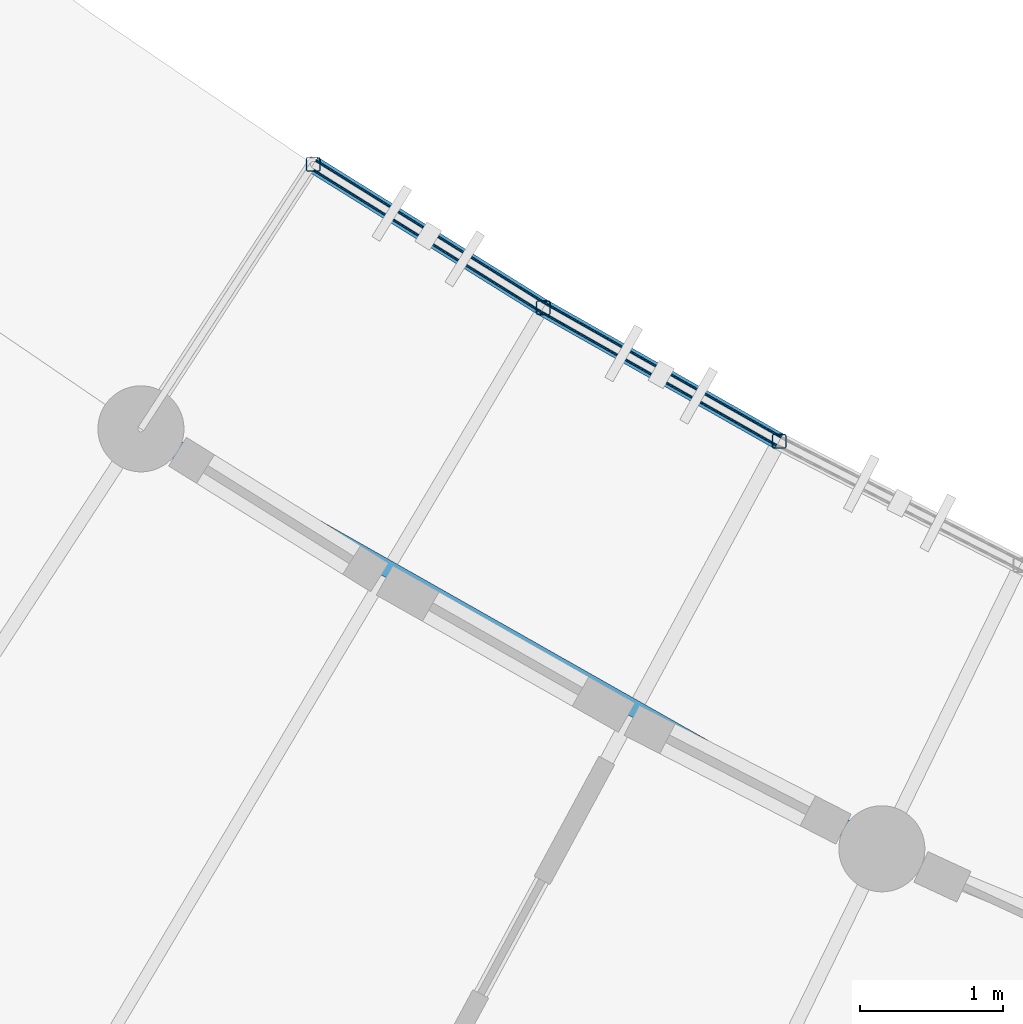
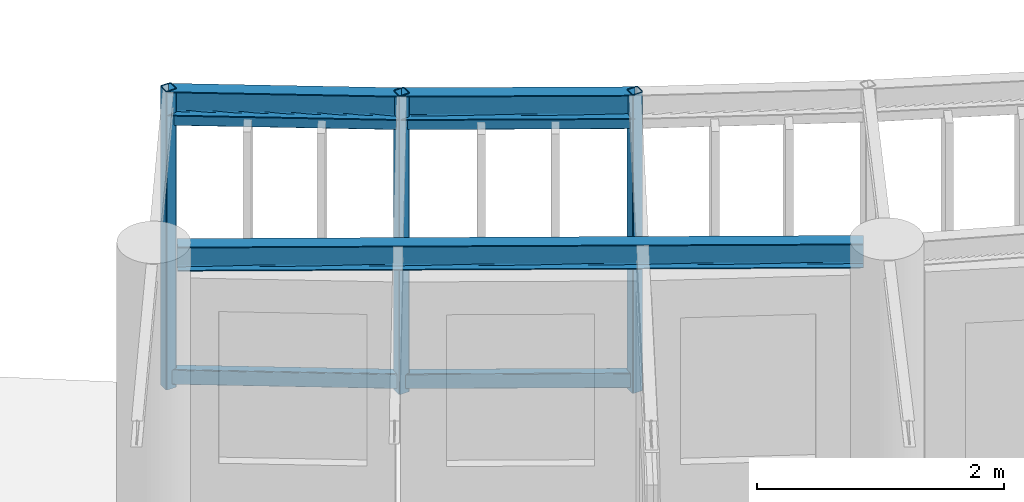
# One storey, part 7 of 101: 7 members, 3 beams.
"""IFC4 building model written with IfcOpenShell, lengths in metres."""

from ifc_helpers import new_model, si_unit, direction, frame, origin, origin_2d, place, context, subcontext, project, spatial, hollow_rectangle, i_section, extrude, material, material_profile, profile_set, type_object, element, save


model = new_model("IFC4")

# Units and contexts
model_context = context("Model", 3, precision=1e-05, world=origin(), true_north=direction((0.0, 1.0)))
body_context = subcontext(model_context, "Body", "Model", "MODEL_VIEW")
ifc_project = project(units=[si_unit("LENGTHUNIT", "METRE"), si_unit("AREAUNIT", "SQUARE_METRE"), si_unit("VOLUMEUNIT", "CUBIC_METRE"), si_unit("PLANEANGLEUNIT", "RADIAN"), si_unit("MASSUNIT", "GRAM", prefix="KILO"), si_unit("POWERUNIT", "WATT"), si_unit("THERMODYNAMICTEMPERATUREUNIT", "KELVIN")], contexts=[model_context])

# Site, building, storey
site_placement = place(None, origin())
site = spatial("IfcSite", under=ifc_project, at=site_placement, CompositionType="ELEMENT")
building_placement = place(site_placement, origin())
building = spatial("IfcBuilding", under=site, at=building_placement, Name="Ruvembo Vaulted Housing Court", CompositionType="ELEMENT")
storey_placement = place(building_placement, frame((0.0, 0.0, 17.300048828125)))
storey = spatial("IfcBuildingStorey", under=building, at=storey_placement, Name="L05", CompositionType="ELEMENT", Elevation=17.300048828125)

# Beams
ifc_material = material(Name="Steel S355J2", Category="steel")
ifc_material_profile_1 = material_profile(ifc_material, i_section(OverallWidth=0.1201171875, OverallDepth=0.239990234375, WebThickness=0.006103515625, FlangeThickness=0.009765625, FilletRadius=0.014892578125, at=origin_2d()), Name="IPE 240")
ifc_profile_set_1 = profile_set([ifc_material_profile_1], Name="Steel S355J2")
beam_type = type_object("IfcBeamType", Name="BM-ST-IPE240", PredefinedType="BEAM", material=ifc_profile_set_1)
beam_placement = place(storey_placement, frame((42.958740234375, 21.691650390625, 2.81396484375), z_axis=(0.8699763246, -0.493093494823, 0.0), x_axis=(0.493093494823, 0.8699763246, 0.0)))
element("IfcBeam", 1, at=beam_placement, inside=storey, type_object=beam_type, Name="Scoop SC2 L05 Chord Girder F0", PredefinedType="BEAM", context=body_context, shape_type="SweptSolid", body=[
    extrude(i_section(OverallWidth=0.1201171875, OverallDepth=0.239990234375, WebThickness=0.006103515625, FlangeThickness=0.009765625, FilletRadius=0.014892578125, at=origin_2d()), origin(), (0.0, 0.0, 1.0), 5.556640625),
])
for number, where, z_axis, x_axis, name in (
    (2, (43.99462890625, 23.62841796875, 2.81201171875), (0.848904567119, -0.52854615307, 0.0), (0.52854615307, 0.848904567119, 0.0), "Scoop SC2 L05 Balcony Edge Spandrel 0"),
    (3, (45.598388671875, 22.6298828125, 2.81201171875), (0.869955662473, -0.493129947712, 0.0), (0.493129947712, 0.869955662473, 0.0), "Scoop SC2 L05 Balcony Edge Spandrel 1"),
):
    element("IfcBeam", number, at=place(storey_placement, frame(where, z_axis=z_axis, x_axis=x_axis)), inside=storey, type_object=beam_type, Name=name, PredefinedType="BEAM", context=body_context, shape_type="SweptSolid", body=[
        extrude(i_section(OverallWidth=0.1201171875, OverallDepth=0.239990234375, WebThickness=0.006103515625, FlangeThickness=0.009765625, FilletRadius=0.014892578125, at=origin_2d()), origin(), (0.0, 0.0, 1.0), 1.88916015625),
    ])

# Members
ifc_material_profile_2 = material_profile(ifc_material, hollow_rectangle(XDim=0.06005859375, YDim=0.1201171875, WallThickness=0.0048828125, InnerFilletRadius=0.0048828125, OuterFilletRadius=0.010009765625, at=origin_2d()), Name="RHS 120x60x5")
ifc_profile_set_2 = profile_set([ifc_material_profile_2], Name="Steel S355J2")
member_type_1 = type_object("IfcMemberType", Name="MEM-CAR-RHS120", PredefinedType="CHORD", material=ifc_profile_set_2)
for number, where, z_axis, x_axis, name in (
    (4, (43.99462890625, 23.62841796875, 2.635009765625), (0.848904567119, -0.52854615307, 0.0), (0.52854615307, 0.848904567119, 0.0), "Scoop SC2 L05 Upper Louvre Carrier Rail 0"),
    (5, (45.598388671875, 22.6298828125, 2.635009765625), (0.869955662473, -0.493129947712, 0.0), (0.493129947712, 0.869955662473, 0.0), "Scoop SC2 L05 Upper Louvre Carrier Rail 1"),
):
    element("IfcMember", number, at=place(storey_placement, frame(where, z_axis=z_axis, x_axis=x_axis)), inside=storey, type_object=member_type_1, Name=name, PredefinedType="CHORD", context=body_context, shape_type="SweptSolid", body=[
        extrude(hollow_rectangle(XDim=0.06005859375, YDim=0.1201171875, WallThickness=0.0048828125, InnerFilletRadius=0.0048828125, OuterFilletRadius=0.010009765625, at=origin_2d()), origin(), (0.0, 0.0, 1.0), 1.88916015625),
    ])
ifc_material_profile_3 = material_profile(ifc_material, hollow_rectangle(XDim=0.080078125, YDim=0.14990234375, WallThickness=0.00634765625, InnerFilletRadius=0.00634765625, OuterFilletRadius=0.0126953125, at=origin_2d()), Name="RHS 150x80x6.3")
ifc_profile_set_3 = profile_set([ifc_material_profile_3], Name="Steel S355J2")
member_type_2 = type_object("IfcMemberType", Name="MEM-CAR-RHS150", PredefinedType="CHORD", material=ifc_profile_set_3)
for number, where, z_axis, x_axis, name in (
    (6, (43.99462890625, 23.62841796875, 0.094970703125), (0.848904567119, -0.52854615307, 0.0), (0.52854615307, 0.848904567119, 0.0), "Scoop SC2 L05 Lower Louvre Carrier Rail 0"),
    (7, (45.598388671875, 22.6298828125, 0.094970703125), (0.869955662473, -0.493129947712, 0.0), (0.493129947712, 0.869955662473, 0.0), "Scoop SC2 L05 Lower Louvre Carrier Rail 1"),
):
    element("IfcMember", number, at=place(storey_placement, frame(where, z_axis=z_axis, x_axis=x_axis)), inside=storey, type_object=member_type_2, Name=name, PredefinedType="CHORD", context=body_context, shape_type="SweptSolid", body=[
        extrude(hollow_rectangle(XDim=0.080078125, YDim=0.14990234375, WallThickness=0.00634765625, InnerFilletRadius=0.00634765625, OuterFilletRadius=0.0126953125, at=origin_2d()), origin(), (0.0, 0.0, 1.0), 1.88916015625),
    ])
ifc_material_profile_4 = material_profile(ifc_material, hollow_rectangle(XDim=0.10009765625, YDim=0.10009765625, WallThickness=0.00634765625, InnerFilletRadius=0.00634765625, OuterFilletRadius=0.0126953125, at=origin_2d()), Name="SHS 100x100x6.3")
ifc_profile_set_4 = profile_set([ifc_material_profile_4], Name="Steel S355J2")
member_type_3 = type_object("IfcMemberType", Name="MEM-FRM-SHS100", PredefinedType="STRUT", material=ifc_profile_set_4)
for number, where, z_axis, x_axis, name in (
    (8, (43.99462890625, 23.62841796875, -0.01513671875), (0.0, 0.0, 1.0), (1.0, 0.0, 0.0), "Scoop SC2 L05 Louvre Frame Post 0"),
    (9, (45.598388671875, 22.6298828125, -0.01513671875), (0.0, 0.0, 1.0), (1.0, 0.0, 0.0), "Scoop SC2 L05 Louvre Frame Post 1"),
    (10, (47.241943359375, 21.6982421875, -0.01513671875), (0.0, 0.0, 1.0), (1.0, 0.0, 0.0), "Scoop SC2 L05 Louvre Frame Post 2"),
):
    element("IfcMember", number, at=place(storey_placement, frame(where, z_axis=z_axis, x_axis=x_axis)), inside=storey, type_object=member_type_3, Name=name, PredefinedType="STRUT", context=body_context, shape_type="SweptSolid", body=[
        extrude(hollow_rectangle(XDim=0.10009765625, YDim=0.10009765625, WallThickness=0.00634765625, InnerFilletRadius=0.00634765625, OuterFilletRadius=0.0126953125, at=origin_2d()), origin(), (0.0, 0.0, 1.0), 2.953125),
    ])

save(model, "model.ifc")
